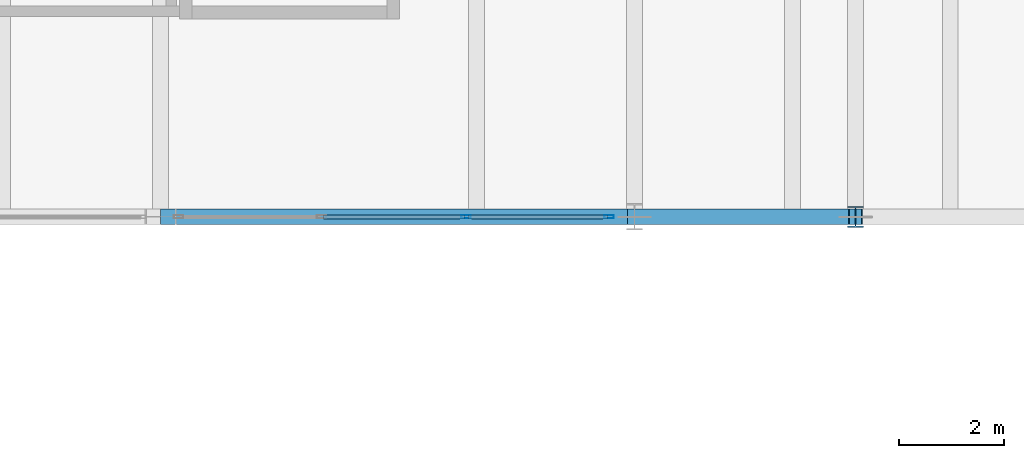
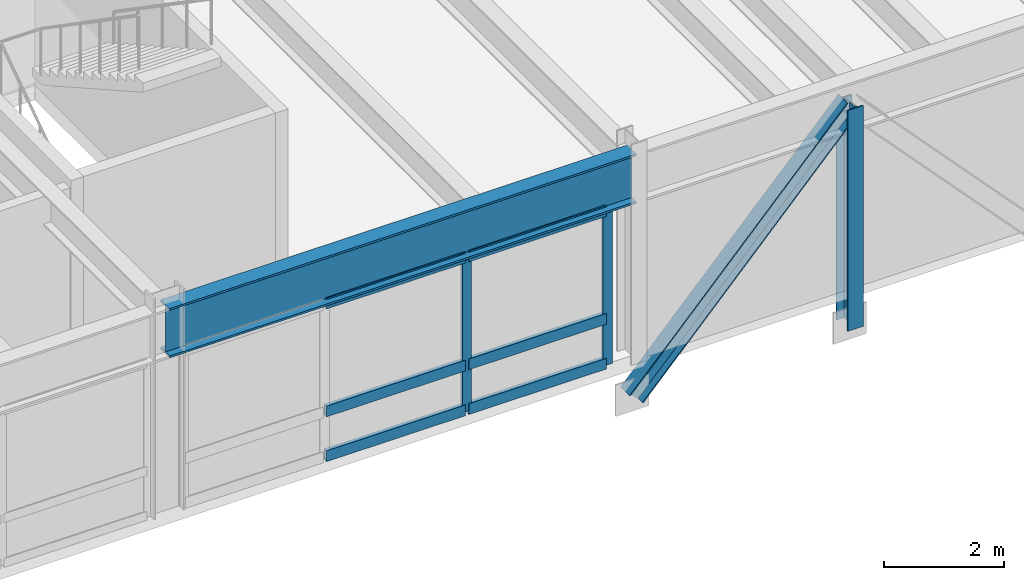
# One storey, part 87 of 115: 10 members, 1 beam, 1 element without a shape of its own.
"""IFC4 building model written with IfcOpenShell, lengths in metres."""

from ifc_helpers import new_model, si_unit, direction, frame, origin, origin_2d, place, context, subcontext, project, spatial, hollow_rectangle, i_section, extrude, material, layer, layer_set, material_profile, profile_set, type_object, element, aggregate, save


model = new_model("IFC4")

# Units and contexts
model_context = context("Model", 3, precision=1e-05, world=origin(), true_north=direction((0.0, 1.0)))
body_context = subcontext(model_context, "Body", "Model", "MODEL_VIEW")
ifc_project = project(units=[si_unit("LENGTHUNIT", "METRE"), si_unit("AREAUNIT", "SQUARE_METRE"), si_unit("VOLUMEUNIT", "CUBIC_METRE"), si_unit("PLANEANGLEUNIT", "RADIAN"), si_unit("MASSUNIT", "GRAM", prefix="KILO")], contexts=[model_context])

# Site, building, storey
site_placement = place(None, origin())
site = spatial("IfcSite", under=ifc_project, at=site_placement, CompositionType="ELEMENT")
building_placement = place(site_placement, origin())
building = spatial("IfcBuilding", under=site, at=building_placement, Name="Montelvaro Courts of Justice", CompositionType="ELEMENT")
storey_placement = place(building_placement, frame((0.0, 0.0, 9.89990234375)))
storey = spatial("IfcBuildingStorey", under=building, at=storey_placement, Name="L02", CompositionType="ELEMENT", Elevation=9.89990234375)

# Beam
ifc_material_1 = material(Name="Steel S355", Category="steel")
ifc_material_profile_1 = material_profile(ifc_material_1, i_section(OverallWidth=0.302001953125, OverallDepth=1.008056640625, WebThickness=0.02099609375, FlangeThickness=0.0400390625, at=origin_2d()), Name="HEM 1000")
ifc_profile_set_1 = profile_set([ifc_material_profile_1], Name="Steel S355")
beam_type = type_object("IfcBeamType", Name="Beam_HEM1000", PredefinedType="USERDEFINED", material=ifc_profile_set_1)
beam_placement = place(storey_placement, frame((153.0, 78.0, 3.696044921875), z_axis=(1.0, 0.0, 0.0), x_axis=(0.0, 1.0, 0.0)))
element("IfcBeam", 1, at=beam_placement, inside=storey, type_object=beam_type, Name="Pratt Cantilever Truss Chord CTR-V2-S-L03-BS3", ObjectType="GIRDER", PredefinedType="USERDEFINED", context=body_context, shape_type="SweptSolid", body=[
    extrude(i_section(OverallWidth=0.302001953125, OverallDepth=1.008056640625, WebThickness=0.02099609375, FlangeThickness=0.0400390625, at=origin_2d()), origin(), (0.0, 0.0, 1.0), 9.0),
])

# Curtain wall, members
ifc_material_2 = material(Name="Anodised aluminium EN AW-6063", Category="aluminium")
ifc_layer = layer(ifc_material_2, 0.159912109375)
ifc_layer_set = layer_set([ifc_layer], Name="Anodised aluminium EN AW-6063")
curtain_wall_type = type_object("IfcCurtainWallType", Name="CurtainWall_26_824x418", PredefinedType="USERDEFINED", material=ifc_layer_set)
curtain_wall_placement = place(storey_placement, origin())
curtain_wall = element("IfcCurtainWall", 2, at=curtain_wall_placement, inside=storey, type_object=curtain_wall_type, Name="Curtain Wall CW-26 (L02)", ObjectType="CURTAIN WALL", PredefinedType="USERDEFINED")
ifc_material_profile_2 = material_profile(ifc_material_2, hollow_rectangle(XDim=0.06005859375, YDim=0.179931640625, WallThickness=0.00439453125, at=origin_2d()), Name="ALU-M 60x180")
ifc_profile_set_2 = profile_set([ifc_material_profile_2], Name="Anodised aluminium EN AW-6063")
member_type_1 = type_object("IfcMemberType", Name="CurtainWall_Mullion_60x180", PredefinedType="MULLION", material=ifc_profile_set_2)
member_1_placement = place(storey_placement, frame((158.804931640625, 78.0, 0.0), z_axis=(0.0, 0.0, 1.0), x_axis=(0.0, 1.0, 0.0)))
member_1 = element("IfcMember", 3, at=member_1_placement, type_object=member_type_1, Name="CW-26 mullion 3", PredefinedType="MULLION", context=body_context, shape_type="SweptSolid", body=[
    extrude(hollow_rectangle(XDim=0.06005859375, YDim=0.179931640625, WallThickness=0.00439453125, at=origin_2d()), origin(), (0.0, 0.0, 1.0), 3.18701171875),
])
member_2_placement = place(storey_placement, frame((161.52001953125, 78.0, 0.0), z_axis=(0.0, 0.0, 1.0), x_axis=(0.0, 1.0, 0.0)))
member_2 = element("IfcMember", 4, at=member_2_placement, type_object=member_type_1, Name="CW-26 mullion 4", PredefinedType="MULLION", context=body_context, shape_type="SweptSolid", body=[
    extrude(hollow_rectangle(XDim=0.06005859375, YDim=0.179931640625, WallThickness=0.00439453125, at=origin_2d()), origin(), (0.0, 0.0, 1.0), 3.18701171875),
])
ifc_material_profile_3 = material_profile(ifc_material_2, hollow_rectangle(XDim=0.074951171875, YDim=0.219970703125, WallThickness=0.005615234375, at=origin_2d()), Name="ALU-T 75x220")
ifc_profile_set_3 = profile_set([ifc_material_profile_3], Name="Anodised aluminium EN AW-6063")
member_type_2 = type_object("IfcMemberType", Name="CurtainWall_Transom_75x220", PredefinedType="USERDEFINED", material=ifc_profile_set_3)
member_3_placement = place(storey_placement, frame((156.090087890625, 78.0, 0.03759765625), z_axis=(1.0, 0.0, 0.0), x_axis=(0.0, 1.0, 0.0)))
member_3 = element("IfcMember", 5, at=member_3_placement, type_object=member_type_2, Name="CW-26 transom 2.1", ObjectType="TRANSOM", PredefinedType="USERDEFINED", context=body_context, shape_type="SweptSolid", body=[
    extrude(hollow_rectangle(XDim=0.074951171875, YDim=0.219970703125, WallThickness=0.005615234375, at=origin_2d()), origin(), (0.0, 0.0, 1.0), 2.684814453125),
])
member_4_placement = place(storey_placement, frame((156.090087890625, 78.0, 0.9501953125), z_axis=(1.0, 0.0, 0.0), x_axis=(0.0, 1.0, 0.0)))
member_4 = element("IfcMember", 6, at=member_4_placement, type_object=member_type_2, Name="CW-26 transom 2.2", ObjectType="TRANSOM", PredefinedType="USERDEFINED", context=body_context, shape_type="SweptSolid", body=[
    extrude(hollow_rectangle(XDim=0.074951171875, YDim=0.219970703125, WallThickness=0.005615234375, at=origin_2d()), origin(), (0.0, 0.0, 1.0), 2.684814453125),
])
member_5_placement = place(storey_placement, frame((156.090087890625, 78.0, 3.149658203125), z_axis=(1.0, 0.0, 0.0), x_axis=(0.0, 1.0, 0.0)))
member_5 = element("IfcMember", 7, at=member_5_placement, type_object=member_type_2, Name="CW-26 transom 2.3", ObjectType="TRANSOM", PredefinedType="USERDEFINED", context=body_context, shape_type="SweptSolid", body=[
    extrude(hollow_rectangle(XDim=0.074951171875, YDim=0.219970703125, WallThickness=0.005615234375, at=origin_2d()), origin(), (0.0, 0.0, 1.0), 2.684814453125),
])
member_6_placement = place(storey_placement, frame((158.8349609375, 78.0, 0.03759765625), z_axis=(1.0, 0.0, 0.0), x_axis=(0.0, 1.0, 0.0)))
member_6 = element("IfcMember", 8, at=member_6_placement, type_object=member_type_2, Name="CW-26 transom 3.1", ObjectType="TRANSOM", PredefinedType="USERDEFINED", context=body_context, shape_type="SweptSolid", body=[
    extrude(hollow_rectangle(XDim=0.074951171875, YDim=0.219970703125, WallThickness=0.005615234375, at=origin_2d()), origin(), (0.0, 0.0, 1.0), 2.655029296875),
])
member_7_placement = place(storey_placement, frame((158.8349609375, 78.0, 0.9501953125), z_axis=(1.0, 0.0, 0.0), x_axis=(0.0, 1.0, 0.0)))
member_7 = element("IfcMember", 9, at=member_7_placement, type_object=member_type_2, Name="CW-26 transom 3.2", ObjectType="TRANSOM", PredefinedType="USERDEFINED", context=body_context, shape_type="SweptSolid", body=[
    extrude(hollow_rectangle(XDim=0.074951171875, YDim=0.219970703125, WallThickness=0.005615234375, at=origin_2d()), origin(), (0.0, 0.0, 1.0), 2.655029296875),
])
member_8_placement = place(storey_placement, frame((158.8349609375, 78.0, 3.149658203125), z_axis=(1.0, 0.0, 0.0), x_axis=(0.0, 1.0, 0.0)))
member_8 = element("IfcMember", 10, at=member_8_placement, type_object=member_type_2, Name="CW-26 transom 3.3", ObjectType="TRANSOM", PredefinedType="USERDEFINED", context=body_context, shape_type="SweptSolid", body=[
    extrude(hollow_rectangle(XDim=0.074951171875, YDim=0.219970703125, WallThickness=0.005615234375, at=origin_2d()), origin(), (0.0, 0.0, 1.0), 2.655029296875),
])
aggregate(curtain_wall, [member_1, member_2, member_3, member_4, member_5, member_6, member_7, member_8])

# Members
ifc_material_profile_4 = material_profile(ifc_material_1, i_section(OverallWidth=0.300048828125, OverallDepth=0.360107421875, WebThickness=0.012451171875, FlangeThickness=0.0224609375, at=origin_2d()), Name="HEB 360")
ifc_profile_set_4 = profile_set([ifc_material_profile_4], Name="Steel S355")
member_type_3 = type_object("IfcMemberType", Name="Mem_HEB360_Brace", PredefinedType="BRACE", material=ifc_profile_set_4)
member_9_placement = place(storey_placement, frame((162.0, 78.0, -0.803955078125), z_axis=(0.682314010889, 0.0, 0.73105922506), x_axis=(0.0, 1.0, 0.0)))
element("IfcMember", 11, at=member_9_placement, inside=storey, type_object=member_type_3, Name="Pratt Cantilever Truss Diagonal MB-01 CTR-V2-S-L02-D4", PredefinedType="BRACE", context=body_context, shape_type="SweptSolid", body=[
    extrude(i_section(OverallWidth=0.300048828125, OverallDepth=0.360107421875, WebThickness=0.012451171875, FlangeThickness=0.0224609375, at=origin_2d()), origin(), (0.0, 0.0, 1.0), 6.155517578125),
])
ifc_material_profile_5 = material_profile(ifc_material_1, i_section(OverallWidth=0.300048828125, OverallDepth=0.39990234375, WebThickness=0.013427734375, FlangeThickness=0.02392578125, at=origin_2d()), Name="HEB 400")
ifc_profile_set_5 = profile_set([ifc_material_profile_5], Name="Steel S355")
member_type_4 = type_object("IfcMemberType", Name="Mem_HEB400_Post", PredefinedType="POST", material=ifc_profile_set_5)
member_10_placement = place(storey_placement, frame((166.199951171875, 78.0, -0.803955078125), z_axis=(0.0, 0.0, 1.0), x_axis=(1.0, 0.0, 0.0)))
element("IfcMember", 12, at=member_10_placement, inside=storey, type_object=member_type_4, Name="Pratt Cantilever Truss Post MP-01 CTR-V2-S-L02-1", PredefinedType="POST", context=body_context, shape_type="SweptSolid", body=[
    extrude(i_section(OverallWidth=0.300048828125, OverallDepth=0.39990234375, WebThickness=0.013427734375, FlangeThickness=0.02392578125, at=origin_2d()), origin(), (0.0, 0.0, 1.0), 4.5),
])

save(model, "model.ifc")
